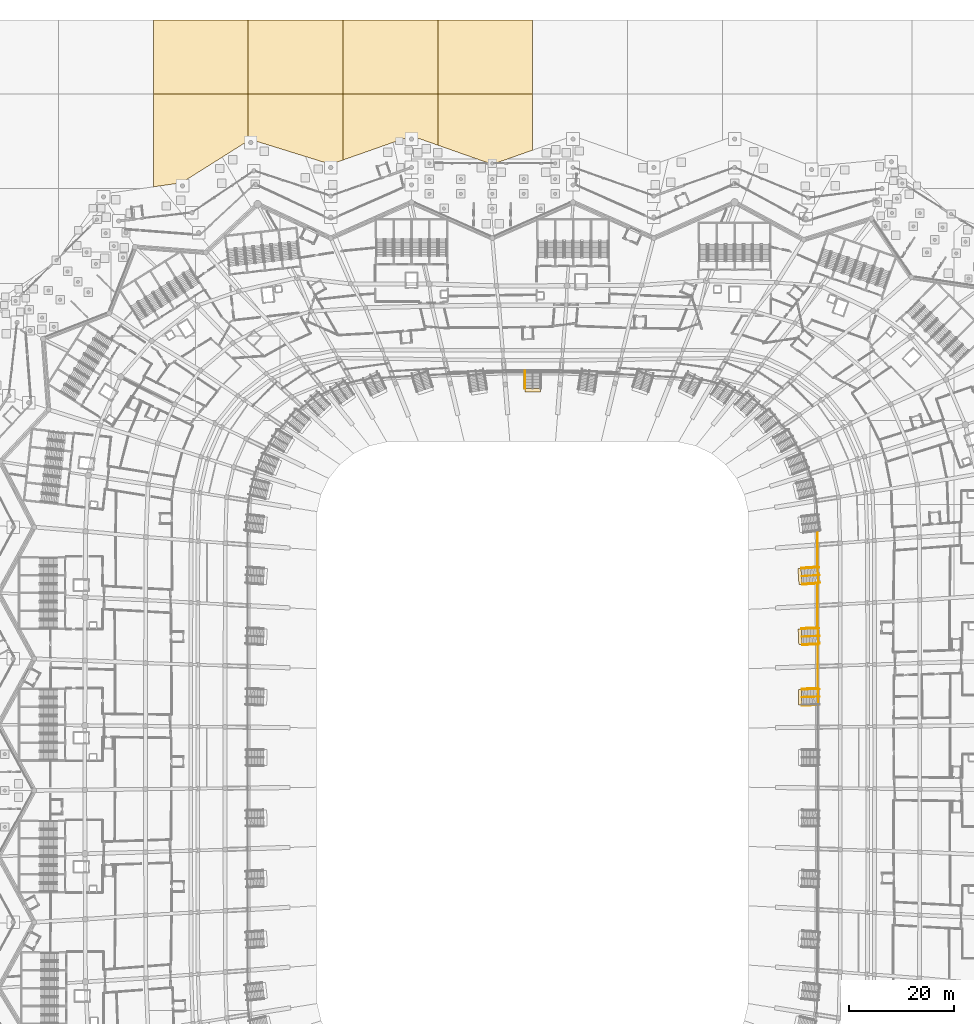
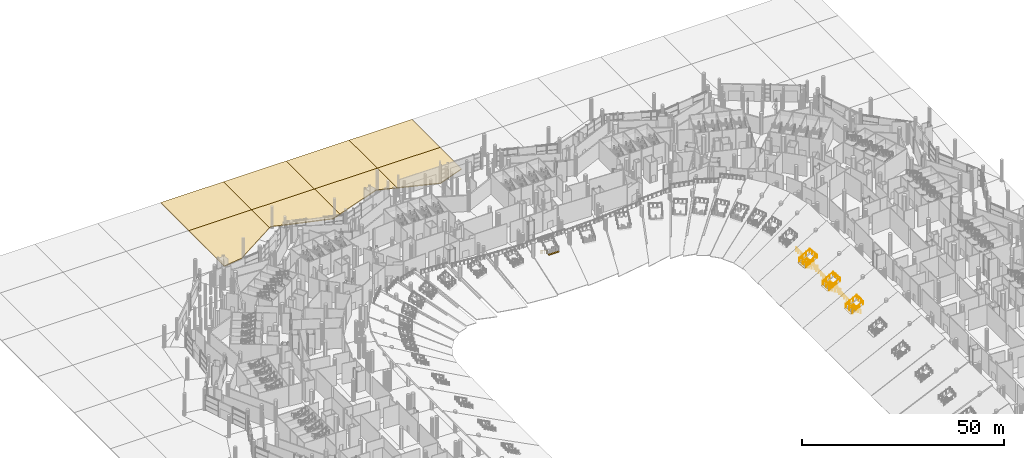
# One storey, part 238 of 255: 15 railings, 12 coverings.
"""IFC4 building model written with IfcOpenShell, lengths in metres."""

from ifc_helpers import new_model, si_unit, direction, frame, origin, origin_2d, place, context, subcontext, project, spatial, polyline, rectangle, circle, outline, extrude, material, layer, layer_set, type_object, element, save


model = new_model("IFC4")

# Units and contexts
model_context = context("Model", 3, precision=1e-05, world=origin(), true_north=direction((0.0, 1.0)))
body_context = subcontext(model_context, "Body", "Model", "MODEL_VIEW")
ifc_project = project(units=[si_unit("LENGTHUNIT", "METRE"), si_unit("AREAUNIT", "SQUARE_METRE"), si_unit("VOLUMEUNIT", "CUBIC_METRE"), si_unit("PLANEANGLEUNIT", "RADIAN"), si_unit("MASSUNIT", "GRAM", prefix="KILO")], contexts=[model_context])

# Site, building, storey
site_placement = place(None, origin())
site = spatial("IfcSite", under=ifc_project, at=site_placement, CompositionType="ELEMENT")
building_placement = place(site_placement, origin())
building = spatial("IfcBuilding", under=site, at=building_placement, Name="Meseta Stadium", CompositionType="ELEMENT")
storey_placement = place(building_placement, origin())
storey = spatial("IfcBuildingStorey", under=building, at=storey_placement, Name="L00", CompositionType="ELEMENT", Elevation=0.0)

# Coverings
ifc_material_1 = material(Name="Guadarrama granite paving on bedding", Category="masonry")
ifc_layer_1 = layer(ifc_material_1, 0.25)
ifc_layer_set_1 = layer_set([ifc_layer_1], Name="Ground paving 250")
covering_type_1 = type_object("IfcCoveringType", Name="Ground paving 250", PredefinedType="FLOORING", material=ifc_layer_set_1)
covering_1_placement = place(storey_placement, frame((0.0, 0.0, -0.25)))
element("IfcCovering", 1, at=covering_1_placement, inside=storey, type_object=covering_type_1, Name="Forecourt paving 68", PredefinedType="FLOORING", context=body_context, shape_type="SweptSolid", body=[
    extrude(outline(polyline([(-72.0, 108.3271484375), (-66.675537109375, 109.087158203125), (-54.0, 117.07421875), (-54.0, 126.0), (-72.0, 126.0), (-72.0, 108.3271484375)])), origin(), (0.0, 0.0, 1.0), 0.25),
])
covering_2_placement = place(storey_placement, frame((0.0, 0.0, -0.25)))
element("IfcCovering", 2, at=covering_2_placement, inside=storey, type_object=covering_type_1, Name="Forecourt paving 70", PredefinedType="FLOORING", context=body_context, shape_type="SweptSolid", body=[
    extrude(outline(polyline([(-18.0, 116.239013671875), (-7.949951171875, 112.69970703125), (-7.880615234375, 112.5859375), (-7.818115234375, 112.5380859375), (-7.7451171875, 112.5078125), (-7.666748046875, 112.497314453125), (-7.58837890625, 112.5078125), (-7.515380859375, 112.5380859375), (-7.45263671875, 112.5859375), (-7.383544921875, 112.69970703125), (0.0, 115.300048828125), (0.0, 126.0), (-18.0, 126.0), (-18.0, 116.239013671875)])), origin(), (0.0, 0.0, 1.0), 0.25),
])
covering_3_placement = place(storey_placement, frame((0.0, 0.0, -0.25)))
element("IfcCovering", 3, at=covering_3_placement, inside=storey, type_object=covering_type_1, Name="Forecourt paving 72", PredefinedType="FLOORING", context=body_context, shape_type="SweptSolid", body=[
    extrude(outline(polyline([(-54.0, 117.07421875), (-53.5869140625, 117.334716796875), (-38.333251953125, 112.60009765625), (-36.0, 113.421630859375), (-36.0, 126.0), (-54.0, 126.0), (-54.0, 117.07421875)])), origin(), (0.0, 0.0, 1.0), 0.25),
])
covering_4_placement = place(storey_placement, frame((0.0, 0.0, -0.25)))
element("IfcCovering", 4, at=covering_4_placement, inside=storey, type_object=covering_type_1, Name="Forecourt paving 74", PredefinedType="FLOORING", context=body_context, shape_type="SweptSolid", body=[
    extrude(outline(polyline([(-36.0, 113.421630859375), (-23.0, 118.0), (-18.0, 116.239013671875), (-18.0, 126.0), (-36.0, 126.0), (-36.0, 113.421630859375)])), origin(), (0.0, 0.0, 1.0), 0.25),
])
covering_5_placement = place(storey_placement, frame((0.0, 0.0, -0.25)))
element("IfcCovering", 5, at=covering_5_placement, inside=storey, type_object=covering_type_1, Name="Forecourt paving 80", PredefinedType="FLOORING", context=body_context, shape_type="SweptSolid", body=[
    extrude(outline(polyline([(-54.0, 140.0), (-72.0, 140.0), (-72.0, 126.0), (-54.0, 126.0), (-54.0, 140.0)])), origin(), (0.0, 0.0, 1.0), 0.25),
])
covering_6_placement = place(storey_placement, frame((0.0, 0.0, -0.25)))
element("IfcCovering", 6, at=covering_6_placement, inside=storey, type_object=covering_type_1, Name="Forecourt paving 81", PredefinedType="FLOORING", context=body_context, shape_type="SweptSolid", body=[
    extrude(outline(polyline([(-36.0, 140.0), (-54.0, 140.0), (-54.0, 126.0), (-36.0, 126.0), (-36.0, 140.0)])), origin(), (0.0, 0.0, 1.0), 0.25),
])
covering_7_placement = place(storey_placement, frame((0.0, 0.0, -0.25)))
element("IfcCovering", 7, at=covering_7_placement, inside=storey, type_object=covering_type_1, Name="Forecourt paving 82", PredefinedType="FLOORING", context=body_context, shape_type="SweptSolid", body=[
    extrude(outline(polyline([(-18.0, 140.0), (-36.0, 140.0), (-36.0, 126.0), (-18.0, 126.0), (-18.0, 140.0)])), origin(), (0.0, 0.0, 1.0), 0.25),
])
covering_8_placement = place(storey_placement, frame((0.0, 0.0, -0.25)))
element("IfcCovering", 8, at=covering_8_placement, inside=storey, type_object=covering_type_1, Name="Forecourt paving 83", PredefinedType="FLOORING", context=body_context, shape_type="SweptSolid", body=[
    extrude(outline(polyline([(0.0, 140.0), (-18.0, 140.0), (-18.0, 126.0), (0.0, 126.0), (0.0, 140.0)])), origin(), (0.0, 0.0, 1.0), 0.25),
])

# Railings
ifc_material_2 = material(Name="Steel S355", Category="steel")
railing_type_1 = type_object("IfcRailingType", Name="Plate edge guard 1100", PredefinedType="GUARDRAIL", material=ifc_material_2)
railing_1_placement = place(storey_placement, frame((54.095947265625, 13.107421875, 0.0)))
element("IfcRailing", 9, at=railing_1_placement, inside=storey, type_object=railing_type_1, Name="L00 inner edge guard 7", PredefinedType="GUARDRAIL", context=body_context, shape_type="SweptSolid", body=[
    extrude(circle(Radius=0.02490234375, at=origin_2d()), frame((0.0, 0.0, 1.0751953125), z_axis=(-0.000814284613, 0.99999966847, 0.0), x_axis=(-0.99999966847, -0.000814284613, 0.0)), (0.0, 0.0, 1.0), 8.39501953125),
    extrude(circle(Radius=0.02001953125, at=origin_2d()), origin(), (0.0, 0.0, 1.0), 1.050048828125),
    extrude(circle(Radius=0.02001953125, at=origin_2d()), frame((-0.0009765625, 1.19921875, 0.0)), (0.0, 0.0, 1.0), 1.050048828125),
    extrude(circle(Radius=0.02001953125, at=origin_2d()), frame((-0.001953125, 2.398681640625, 0.0)), (0.0, 0.0, 1.0), 1.050048828125),
    extrude(circle(Radius=0.02001953125, at=origin_2d()), frame((-0.0029296875, 3.597900390625, 0.0)), (0.0, 0.0, 1.0), 1.050048828125),
    extrude(circle(Radius=0.02001953125, at=origin_2d()), frame((-0.00390625, 4.797119140625, 0.0)), (0.0, 0.0, 1.0), 1.050048828125),
    extrude(circle(Radius=0.02001953125, at=origin_2d()), frame((-0.0048828125, 5.996337890625, 0.0)), (0.0, 0.0, 1.0), 1.050048828125),
    extrude(circle(Radius=0.02001953125, at=origin_2d()), frame((-0.005859375, 7.19580078125, 0.0)), (0.0, 0.0, 1.0), 1.050048828125),
    extrude(circle(Radius=0.02001953125, at=origin_2d()), frame((-0.0068359375, 8.39501953125, 0.0)), (0.0, 0.0, 1.0), 1.050048828125),
])
railing_2_placement = place(storey_placement, frame((54.085693359375, 24.6455078125, 0.0)))
element("IfcRailing", 10, at=railing_2_placement, inside=storey, type_object=railing_type_1, Name="L00 inner edge guard 8", PredefinedType="GUARDRAIL", context=body_context, shape_type="SweptSolid", body=[
    extrude(circle(Radius=0.02490234375, at=origin_2d()), frame((0.0, 0.0, 1.0751953125), z_axis=(-0.001338375292, 0.999999104375, 0.0), x_axis=(-0.999999104375, -0.001338375292, 0.0)), (0.0, 0.0, 1.0), 8.39111328125),
    extrude(circle(Radius=0.02001953125, at=origin_2d()), origin(), (0.0, 0.0, 1.0), 1.050048828125),
    extrude(circle(Radius=0.02001953125, at=origin_2d()), frame((-0.001708984375, 1.19873046875, 0.0)), (0.0, 0.0, 1.0), 1.050048828125),
    extrude(circle(Radius=0.02001953125, at=origin_2d()), frame((-0.003173828125, 2.3974609375, 0.0)), (0.0, 0.0, 1.0), 1.050048828125),
    extrude(circle(Radius=0.02001953125, at=origin_2d()), frame((-0.0048828125, 3.59619140625, 0.0)), (0.0, 0.0, 1.0), 1.050048828125),
    extrude(circle(Radius=0.02001953125, at=origin_2d()), frame((-0.00634765625, 4.794921875, 0.0)), (0.0, 0.0, 1.0), 1.050048828125),
    extrude(circle(Radius=0.02001953125, at=origin_2d()), frame((-0.008056640625, 5.99365234375, 0.0)), (0.0, 0.0, 1.0), 1.050048828125),
    extrude(circle(Radius=0.02001953125, at=origin_2d()), frame((-0.009521484375, 7.1923828125, 0.0)), (0.0, 0.0, 1.0), 1.050048828125),
    extrude(circle(Radius=0.02001953125, at=origin_2d()), frame((-0.01123046875, 8.39111328125, 0.0)), (0.0, 0.0, 1.0), 1.050048828125),
])
railing_3_placement = place(storey_placement, frame((54.0693359375, 36.18310546875, 0.0)))
element("IfcRailing", 11, at=railing_3_placement, inside=storey, type_object=railing_type_1, Name="L00 inner edge guard 9", PredefinedType="GUARDRAIL", context=body_context, shape_type="SweptSolid", body=[
    extrude(circle(Radius=0.02490234375, at=origin_2d()), frame((0.0, 0.0, 1.0751953125), z_axis=(-0.001861794124, 0.99999826686, 0.0), x_axis=(-0.99999826686, -0.001861794124, 0.0)), (0.0, 0.0, 1.0), 6.81884765625),
    extrude(circle(Radius=0.02001953125, at=origin_2d()), origin(), (0.0, 0.0, 1.0), 1.050048828125),
    extrude(circle(Radius=0.02001953125, at=origin_2d()), frame((-0.002197265625, 1.136474609375, 0.0)), (0.0, 0.0, 1.0), 1.050048828125),
    extrude(circle(Radius=0.02001953125, at=origin_2d()), frame((-0.004150390625, 2.27294921875, 0.0)), (0.0, 0.0, 1.0), 1.050048828125),
    extrude(circle(Radius=0.02001953125, at=origin_2d()), frame((-0.00634765625, 3.409423828125, 0.0)), (0.0, 0.0, 1.0), 1.050048828125),
    extrude(circle(Radius=0.02001953125, at=origin_2d()), frame((-0.008544921875, 4.5458984375, 0.0)), (0.0, 0.0, 1.0), 1.050048828125),
    extrude(circle(Radius=0.02001953125, at=origin_2d()), frame((-0.010498046875, 5.682373046875, 0.0)), (0.0, 0.0, 1.0), 1.050048828125),
    extrude(circle(Radius=0.02001953125, at=origin_2d()), frame((-0.0126953125, 6.81884765625, 0.0)), (0.0, 0.0, 1.0), 1.050048828125),
])

# Coverings
ifc_material_3 = material(Name="Stone paving", Category="masonry")
ifc_layer_2 = layer(ifc_material_3, 0.02001953125)
ifc_layer_set_2 = layer_set([ifc_layer_2], Name="Vomitory exit threshold plate 20")
covering_type_2 = type_object("IfcCoveringType", Name="Vomitory exit threshold plate 20", PredefinedType="FLOORING", material=ifc_layer_set_2)
for number, where, z_axis, x_axis, name in (
    (12, (50.755859375, 11.4638671875, 2.130615234375), (0.0, 0.0, 1.0), (-0.999759622364, -0.021924814479, 0.0), "Vomitory V-lower-06 exit threshold"),
    (13, (50.748779296875, 22.927490234375, 2.130615234375), (0.0, 0.0, 1.0), (-0.999039522965, -0.043818164662, 0.0), "Vomitory V-lower-07 exit threshold"),
    (14, (50.737060546875, 34.390380859375, 2.130615234375), (0.0, 0.0, 1.0), (-0.997842912451, -0.065646950207, 0.0), "Vomitory V-lower-08 exit threshold"),
    (15, (0.0, 69.72705078125, 2.114990234375), (0.0, 0.0, 1.0), (0.0, -1.0, 0.0), "Vomitory V-lower-19 exit threshold"),
):
    element("IfcCovering", number, at=place(storey_placement, frame(where, z_axis=z_axis, x_axis=x_axis)), inside=storey, type_object=covering_type_2, Name=name, PredefinedType="FLOORING", context=body_context, shape_type="SweptSolid", body=[
        extrude(rectangle(XDim=0.60009765625, YDim=3.0, at=origin_2d()), origin(), (0.0, 0.0, 1.0), 0.02001953125),
    ])

# Railings
ifc_material_4 = material(Name="Steel S355", Category="steel")
railing_type_2 = type_object("IfcRailingType", Name="Vomitory slot guard 1100", PredefinedType="GUARDRAIL", material=ifc_material_4)
railing_4_placement = place(storey_placement, frame((51.06201171875, 13.071044921875, 2.150634765625)))
element("IfcRailing", 16, at=railing_4_placement, inside=storey, type_object=railing_type_2, Name="Vomitory V-lower-06 slot guard", PredefinedType="GUARDRAIL", context=body_context, shape_type="SweptSolid", body=[
    extrude(circle(Radius=0.02490234375, at=origin_2d()), frame((0.0, 0.0, 1.0751953125), z_axis=(0.890607491186, 0.019504402281, 0.454354349529), x_axis=(-0.021894860368, 0.999760278812, 0.0)), (0.0, 0.0, 1.0), 3.479736328125),
    extrude(circle(Radius=0.02490234375, at=origin_2d()), frame((3.09912109375, 0.06787109375, 2.65625), z_axis=(0.021896458331, -0.999760243815, 0.0), x_axis=(0.999760243815, 0.021896458331, 0.0)), (0.0, 0.0, 1.0), 3.199951171875),
    extrude(circle(Radius=0.02490234375, at=origin_2d()), frame((3.169189453125, -3.13134765625, 2.65625), z_axis=(-0.890607491186, -0.019504402281, -0.454354349529), x_axis=(0.021894860368, -0.999760278812, 0.0)), (0.0, 0.0, 1.0), 3.479736328125),
    extrude(circle(Radius=0.02001953125, at=origin_2d()), origin(), (0.0, 0.0, 1.0), 1.050048828125),
    extrude(circle(Radius=0.02001953125, at=origin_2d()), frame((1.032958984375, 0.022705078125, 0.527099609375)), (0.0, 0.0, 1.0), 1.050048828125),
    extrude(circle(Radius=0.02001953125, at=origin_2d()), frame((2.066162109375, 0.045166015625, 1.053955078125)), (0.0, 0.0, 1.0), 1.050048828125),
    extrude(circle(Radius=0.02001953125, at=origin_2d()), frame((3.09912109375, 0.06787109375, 1.5810546875)), (0.0, 0.0, 1.0), 1.050048828125),
    extrude(circle(Radius=0.02001953125, at=origin_2d()), frame((3.12255859375, -0.99853515625, 1.5810546875)), (0.0, 0.0, 1.0), 1.050048828125),
    extrude(circle(Radius=0.02001953125, at=origin_2d()), frame((3.145751953125, -2.06494140625, 1.5810546875)), (0.0, 0.0, 1.0), 1.050048828125),
    extrude(circle(Radius=0.02001953125, at=origin_2d()), frame((3.169189453125, -3.13134765625, 1.5810546875)), (0.0, 0.0, 1.0), 1.050048828125),
    extrude(circle(Radius=0.02001953125, at=origin_2d()), frame((2.13623046875, -3.154052734375, 1.053955078125)), (0.0, 0.0, 1.0), 1.050048828125),
    extrude(circle(Radius=0.02001953125, at=origin_2d()), frame((1.10302734375, -3.176513671875, 0.527099609375)), (0.0, 0.0, 1.0), 1.050048828125),
    extrude(circle(Radius=0.02001953125, at=origin_2d()), frame((0.070068359375, -3.19921875, 0.0)), (0.0, 0.0, 1.0), 1.050048828125),
])
railing_5_placement = place(storey_placement, frame((51.01953125, 24.541015625, 2.150634765625)))
element("IfcRailing", 17, at=railing_5_placement, inside=storey, type_object=railing_type_2, Name="Vomitory V-lower-07 slot guard", PredefinedType="GUARDRAIL", context=body_context, shape_type="SweptSolid", body=[
    extrude(circle(Radius=0.02490234375, at=origin_2d()), frame((0.0, 0.0, 1.0751953125), z_axis=(0.889983105268, 0.039006038667, 0.454322133826), x_axis=(-0.043785808256, 0.999040941601, 0.0)), (0.0, 0.0, 1.0), 3.47998046875),
    extrude(circle(Radius=0.02490234375, at=origin_2d()), frame((3.09716796875, 0.1357421875, 2.65625), z_axis=(0.04379147445, -0.999040693248, 0.0), x_axis=(0.999040693248, 0.04379147445, 0.0)), (0.0, 0.0, 1.0), 3.2001953125),
    extrude(circle(Radius=0.02490234375, at=origin_2d()), frame((3.2373046875, -3.061279296875, 2.65625), z_axis=(-0.889968516621, -0.039008474201, -0.454350501666), x_axis=(0.043789253415, -0.999040790601, 0.0)), (0.0, 0.0, 1.0), 3.479736328125),
    extrude(circle(Radius=0.02001953125, at=origin_2d()), origin(), (0.0, 0.0, 1.0), 1.050048828125),
    extrude(circle(Radius=0.02001953125, at=origin_2d()), frame((1.032470703125, 0.045166015625, 0.527099609375)), (0.0, 0.0, 1.0), 1.050048828125),
    extrude(circle(Radius=0.02001953125, at=origin_2d()), frame((2.064697265625, 0.090576171875, 1.053955078125)), (0.0, 0.0, 1.0), 1.050048828125),
    extrude(circle(Radius=0.02001953125, at=origin_2d()), frame((3.09716796875, 0.1357421875, 1.5810546875)), (0.0, 0.0, 1.0), 1.050048828125),
    extrude(circle(Radius=0.02001953125, at=origin_2d()), frame((3.143798828125, -0.929931640625, 1.5810546875)), (0.0, 0.0, 1.0), 1.050048828125),
    extrude(circle(Radius=0.02001953125, at=origin_2d()), frame((3.190673828125, -1.99560546875, 1.5810546875)), (0.0, 0.0, 1.0), 1.050048828125),
    extrude(circle(Radius=0.02001953125, at=origin_2d()), frame((3.2373046875, -3.061279296875, 1.5810546875)), (0.0, 0.0, 1.0), 1.050048828125),
    extrude(circle(Radius=0.02001953125, at=origin_2d()), frame((2.205078125, -3.1064453125, 1.053955078125)), (0.0, 0.0, 1.0), 1.050048828125),
    extrude(circle(Radius=0.02001953125, at=origin_2d()), frame((1.172607421875, -3.15185546875, 0.527099609375)), (0.0, 0.0, 1.0), 1.050048828125),
    extrude(circle(Radius=0.02001953125, at=origin_2d()), frame((0.140380859375, -3.197021484375, 0.0)), (0.0, 0.0, 1.0), 1.050048828125),
])
railing_6_placement = place(storey_placement, frame((50.97265625, 36.009521484375, 2.150634765625)))
element("IfcRailing", 18, at=railing_6_placement, inside=storey, type_object=railing_type_2, Name="Vomitory V-lower-08 slot guard", PredefinedType="GUARDRAIL", context=body_context, shape_type="SweptSolid", body=[
    extrude(circle(Radius=0.02490234375, at=origin_2d()), frame((0.0, 0.0, 1.0751953125), z_axis=(0.888906442496, 0.05844191528, 0.454345550245), x_axis=(-0.065604221541, 0.997845722602, 0.0)), (0.0, 0.0, 1.0), 3.479736328125),
    extrude(circle(Radius=0.02490234375, at=origin_2d()), frame((3.09326171875, 0.203369140625, 2.65625), z_axis=(0.065617568946, -0.997844844976, 0.0), x_axis=(0.997844844976, 0.065617568946, 0.0)), (0.0, 0.0, 1.0), 3.19970703125),
    extrude(circle(Radius=0.02490234375, at=origin_2d()), frame((3.30322265625, -2.989501953125, 2.65625), z_axis=(-0.888902795646, -0.058511833589, -0.454343686236), x_axis=(0.06568263854, -0.997840563915, 0.0)), (0.0, 0.0, 1.0), 3.47998046875),
    extrude(circle(Radius=0.02001953125, at=origin_2d()), origin(), (0.0, 0.0, 1.0), 1.050048828125),
    extrude(circle(Radius=0.02001953125, at=origin_2d()), frame((1.031005859375, 0.06787109375, 0.527099609375)), (0.0, 0.0, 1.0), 1.050048828125),
    extrude(circle(Radius=0.02001953125, at=origin_2d()), frame((2.062255859375, 0.135498046875, 1.053955078125)), (0.0, 0.0, 1.0), 1.050048828125),
    extrude(circle(Radius=0.02001953125, at=origin_2d()), frame((3.09326171875, 0.203369140625, 1.5810546875)), (0.0, 0.0, 1.0), 1.050048828125),
    extrude(circle(Radius=0.02001953125, at=origin_2d()), frame((3.163330078125, -0.86083984375, 1.5810546875)), (0.0, 0.0, 1.0), 1.050048828125),
    extrude(circle(Radius=0.02001953125, at=origin_2d()), frame((3.233154296875, -1.92529296875, 1.5810546875)), (0.0, 0.0, 1.0), 1.050048828125),
    extrude(circle(Radius=0.02001953125, at=origin_2d()), frame((3.30322265625, -2.989501953125, 1.5810546875)), (0.0, 0.0, 1.0), 1.050048828125),
    extrude(circle(Radius=0.02001953125, at=origin_2d()), frame((2.272216796875, -3.057373046875, 1.053955078125)), (0.0, 0.0, 1.0), 1.050048828125),
    extrude(circle(Radius=0.02001953125, at=origin_2d()), frame((1.240966796875, -3.125244140625, 0.527099609375)), (0.0, 0.0, 1.0), 1.050048828125),
    extrude(circle(Radius=0.02001953125, at=origin_2d()), frame((0.2099609375, -3.193115234375, 0.0)), (0.0, 0.0, 1.0), 1.050048828125),
])
ifc_material_5 = material(Name="Steel S355", Category="steel")
railing_type_3 = type_object("IfcRailingType", Name="Vomitory stair guard 1100", PredefinedType="GUARDRAIL", material=ifc_material_5)
railing_7_placement = place(storey_placement, frame((54.42431640625, 12.99462890625, 0.165283203125)))
element("IfcRailing", 19, at=railing_7_placement, inside=storey, type_object=railing_type_3, Name="Vomitory V-lower-06 guard right", PredefinedType="GUARDRAIL", context=body_context, shape_type="SweptSolid", body=[
    extrude(circle(Radius=0.02490234375, at=origin_2d()), frame((0.0, 0.0, 1.0751953125), z_axis=(-0.860726790282, -0.018892324345, 0.508716495281), x_axis=(0.021943984224, -0.999759201786, 0.0)), (0.0, 0.0, 1.0), 3.902587890625),
    extrude(circle(Radius=0.02001953125, at=origin_2d()), origin(), (0.0, 0.0, 1.0), 1.050048828125),
    extrude(circle(Radius=0.02001953125, at=origin_2d()), frame((-0.83984375, -0.0185546875, 0.496337890625)), (0.0, 0.0, 1.0), 1.050048828125),
    extrude(circle(Radius=0.02001953125, at=origin_2d()), frame((-1.6796875, -0.036865234375, 0.99267578125)), (0.0, 0.0, 1.0), 1.050048828125),
    extrude(circle(Radius=0.02001953125, at=origin_2d()), frame((-2.519287109375, -0.05517578125, 1.489013671875)), (0.0, 0.0, 1.0), 1.050048828125),
    extrude(circle(Radius=0.02001953125, at=origin_2d()), frame((-3.359130859375, -0.07373046875, 1.9853515625)), (0.0, 0.0, 1.0), 1.050048828125),
])
for number, where, name in (
    (20, (54.510009765625, 21.64111328125, 0.165283203125), "Vomitory V-lower-07 guard left"),
    (21, (54.3828125, 24.538330078125, 0.165283203125), "Vomitory V-lower-07 guard right"),
):
    element("IfcRailing", number, at=place(storey_placement, frame(where)), inside=storey, type_object=railing_type_3, Name=name, PredefinedType="GUARDRAIL", context=body_context, shape_type="SweptSolid", body=[
        extrude(circle(Radius=0.02490234375, at=origin_2d()), frame((0.0, 0.0, 1.0751953125), z_axis=(-0.860105718609, -0.037722288772, 0.508719158028), x_axis=(0.043815615664, -0.999039634761, 0.0)), (0.0, 0.0, 1.0), 3.902587890625),
        extrude(circle(Radius=0.02001953125, at=origin_2d()), origin(), (0.0, 0.0, 1.0), 1.050048828125),
        extrude(circle(Radius=0.02001953125, at=origin_2d()), frame((-0.839111328125, -0.036865234375, 0.496337890625)), (0.0, 0.0, 1.0), 1.050048828125),
        extrude(circle(Radius=0.02001953125, at=origin_2d()), frame((-1.67822265625, -0.07373046875, 0.99267578125)), (0.0, 0.0, 1.0), 1.050048828125),
        extrude(circle(Radius=0.02001953125, at=origin_2d()), frame((-2.517578125, -0.1103515625, 1.489013671875)), (0.0, 0.0, 1.0), 1.050048828125),
        extrude(circle(Radius=0.02001953125, at=origin_2d()), frame((-3.356689453125, -0.147216796875, 1.9853515625)), (0.0, 0.0, 1.0), 1.050048828125),
    ])
for number, where, name in (
    (22, (54.525634765625, 33.1865234375, 0.165283203125), "Vomitory V-lower-08 guard left"),
    (23, (54.335205078125, 36.080322265625, 0.165283203125), "Vomitory V-lower-08 guard right"),
):
    element("IfcRailing", number, at=place(storey_placement, frame(where)), inside=storey, type_object=railing_type_3, Name=name, PredefinedType="GUARDRAIL", context=body_context, shape_type="SweptSolid", body=[
        extrude(circle(Radius=0.02490234375, at=origin_2d()), frame((0.0, 0.0, 1.0751953125), z_axis=(-0.859084475855, -0.056488260518, 0.50870712573), x_axis=(0.06561233567, -0.997845189099, 0.0)), (0.0, 0.0, 1.0), 3.90283203125),
        extrude(circle(Radius=0.02001953125, at=origin_2d()), origin(), (0.0, 0.0, 1.0), 1.050048828125),
        extrude(circle(Radius=0.02001953125, at=origin_2d()), frame((-0.838134765625, -0.05517578125, 0.496337890625)), (0.0, 0.0, 1.0), 1.050048828125),
        extrude(circle(Radius=0.02001953125, at=origin_2d()), frame((-1.67626953125, -0.1103515625, 0.99267578125)), (0.0, 0.0, 1.0), 1.050048828125),
        extrude(circle(Radius=0.02001953125, at=origin_2d()), frame((-2.5146484375, -0.165283203125, 1.489013671875)), (0.0, 0.0, 1.0), 1.050048828125),
        extrude(circle(Radius=0.02001953125, at=origin_2d()), frame((-3.352783203125, -0.220458984375, 1.9853515625)), (0.0, 0.0, 1.0), 1.050048828125),
    ])
railing_8_placement = place(storey_placement, frame((-1.449951171875, 73.42822265625, 0.164306640625)))
element("IfcRailing", 24, at=railing_8_placement, inside=storey, type_object=railing_type_3, Name="Vomitory V-lower-19 guard right", PredefinedType="GUARDRAIL", context=body_context, shape_type="SweptSolid", body=[
    extrude(circle(Radius=0.02490234375, at=origin_2d()), frame((0.0, 0.0, 1.0751953125), z_axis=(0.0, -0.862571589206, 0.505935028926), x_axis=(1.0, 0.0, 0.0)), (0.0, 0.0, 1.0), 3.895263671875),
    extrude(circle(Radius=0.02001953125, at=origin_2d()), origin(), (0.0, 0.0, 1.0), 1.050048828125),
    extrude(circle(Radius=0.02001953125, at=origin_2d()), frame((0.0, -0.83984375, 0.49267578125)), (0.0, 0.0, 1.0), 1.050048828125),
    extrude(circle(Radius=0.02001953125, at=origin_2d()), frame((0.0, -1.679931640625, 0.9853515625)), (0.0, 0.0, 1.0), 1.050048828125),
    extrude(circle(Radius=0.02001953125, at=origin_2d()), frame((0.0, -2.52001953125, 1.47802734375)), (0.0, 0.0, 1.0), 1.050048828125),
    extrude(circle(Radius=0.02001953125, at=origin_2d()), frame((0.0, -3.35986328125, 1.970703125)), (0.0, 0.0, 1.0), 1.050048828125),
])
ifc_material_6 = material(Name="Steel S355", Category="steel")
railing_type_4 = type_object("IfcRailingType", Name="Vomitory stair handrail 900", PredefinedType="HANDRAIL", material=ifc_material_6)
railing_9_placement = place(storey_placement, frame((54.456298828125, 11.545166015625, 0.165283203125)))
element("IfcRailing", 25, at=railing_9_placement, inside=storey, type_object=railing_type_4, Name="Vomitory V-lower-06 central handrail", PredefinedType="HANDRAIL", context=body_context, shape_type="SweptSolid", body=[
    extrude(circle(Radius=0.02490234375, at=origin_2d()), frame((0.0, 0.0, 0.875), z_axis=(-0.860743000676, -0.018891307137, 0.50868910476), x_axis=(0.021942390226, -0.999759236772, 0.0)), (0.0, 0.0, 1.0), 3.90283203125),
    extrude(circle(Radius=0.02001953125, at=origin_2d()), origin(), (0.0, 0.0, 1.0), 0.849853515625),
    extrude(circle(Radius=0.02001953125, at=origin_2d()), frame((-0.83984375, -0.0185546875, 0.496337890625)), (0.0, 0.0, 1.0), 0.849853515625),
    extrude(circle(Radius=0.02001953125, at=origin_2d()), frame((-1.6796875, -0.036865234375, 0.99267578125)), (0.0, 0.0, 1.0), 0.849853515625),
    extrude(circle(Radius=0.02001953125, at=origin_2d()), frame((-2.51953125, -0.05517578125, 1.489013671875)), (0.0, 0.0, 1.0), 0.849853515625),
    extrude(circle(Radius=0.02001953125, at=origin_2d()), frame((-3.359375, -0.07373046875, 1.9853515625)), (0.0, 0.0, 1.0), 0.849853515625),
])
railing_10_placement = place(storey_placement, frame((54.446533203125, 23.089599609375, 0.165283203125)))
element("IfcRailing", 26, at=railing_10_placement, inside=storey, type_object=railing_type_4, Name="Vomitory V-lower-07 central handrail", PredefinedType="HANDRAIL", context=body_context, shape_type="SweptSolid", body=[
    extrude(circle(Radius=0.02490234375, at=origin_2d()), frame((0.0, 0.0, 0.875), z_axis=(-0.860121995943, -0.037720259168, 0.508691786982), x_axis=(0.043812435191, -0.999039774245, 0.0)), (0.0, 0.0, 1.0), 3.90283203125),
    extrude(circle(Radius=0.02001953125, at=origin_2d()), origin(), (0.0, 0.0, 1.0), 0.849853515625),
    extrude(circle(Radius=0.02001953125, at=origin_2d()), frame((-0.83935546875, -0.036865234375, 0.496337890625)), (0.0, 0.0, 1.0), 0.849853515625),
    extrude(circle(Radius=0.02001953125, at=origin_2d()), frame((-1.678466796875, -0.07373046875, 0.99267578125)), (0.0, 0.0, 1.0), 0.849853515625),
    extrude(circle(Radius=0.02001953125, at=origin_2d()), frame((-2.517578125, -0.1103515625, 1.489013671875)), (0.0, 0.0, 1.0), 0.849853515625),
    extrude(circle(Radius=0.02001953125, at=origin_2d()), frame((-3.35693359375, -0.147216796875, 1.9853515625)), (0.0, 0.0, 1.0), 0.849853515625),
])
railing_11_placement = place(storey_placement, frame((54.430419921875, 34.633544921875, 0.165283203125)))
element("IfcRailing", 27, at=railing_11_placement, inside=storey, type_object=railing_type_4, Name="Vomitory V-lower-08 central handrail", PredefinedType="HANDRAIL", context=body_context, shape_type="SweptSolid", body=[
    extrude(circle(Radius=0.02490234375, at=origin_2d()), frame((0.0, 0.0, 0.875), z_axis=(-0.85908143845, -0.056550616789, 0.50870532713), x_axis=(0.065684682745, -0.997840429354, 0.0)), (0.0, 0.0, 1.0), 3.90283203125),
    extrude(circle(Radius=0.02001953125, at=origin_2d()), origin(), (0.0, 0.0, 1.0), 0.849853515625),
    extrude(circle(Radius=0.02001953125, at=origin_2d()), frame((-0.838134765625, -0.05517578125, 0.496337890625)), (0.0, 0.0, 1.0), 0.849853515625),
    extrude(circle(Radius=0.02001953125, at=origin_2d()), frame((-1.67626953125, -0.1103515625, 0.99267578125)), (0.0, 0.0, 1.0), 0.849853515625),
    extrude(circle(Radius=0.02001953125, at=origin_2d()), frame((-2.5146484375, -0.16552734375, 1.489013671875)), (0.0, 0.0, 1.0), 0.849853515625),
    extrude(circle(Radius=0.02001953125, at=origin_2d()), frame((-3.352783203125, -0.220703125, 1.9853515625)), (0.0, 0.0, 1.0), 0.849853515625),
])

save(model, "model.ifc")
